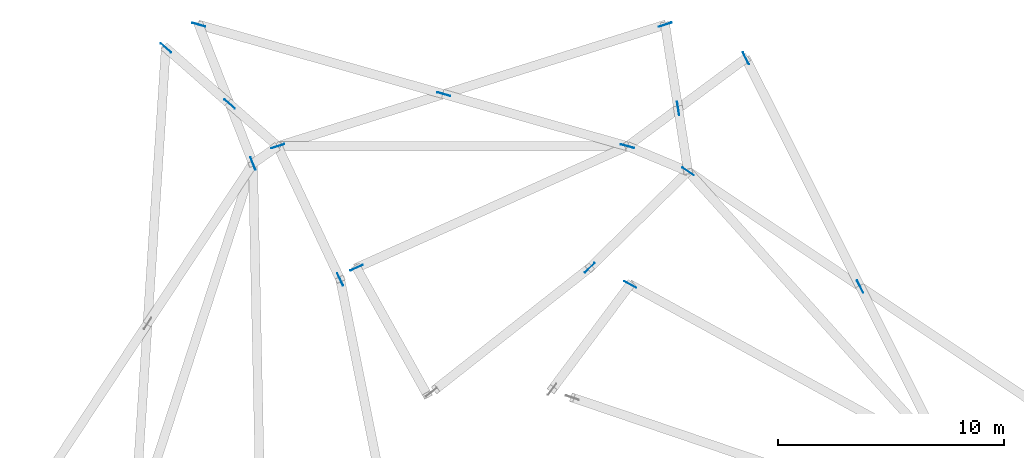
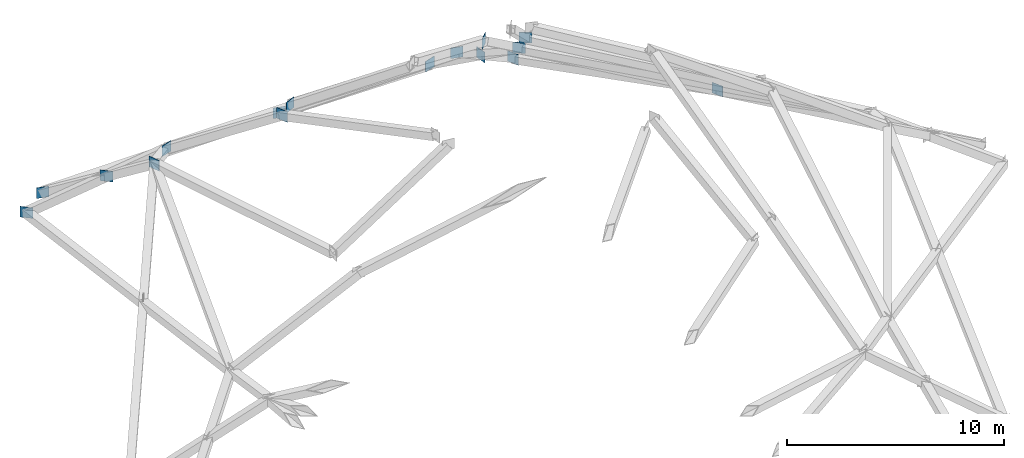
# One storey, part 6 of 6: 16 discrete accessories.
"""IFC4 building model written with IfcOpenShell, lengths in metres."""

from ifc_helpers import new_model, si_unit, direction, frame, origin, origin_2d, place, context, subcontext, project, spatial, rectangle, extrude, material, type_object, element, save


model = new_model("IFC4")

# Units and contexts
model_context = context("Model", 3, precision=1e-05, world=origin(), true_north=direction((0.0, 1.0)))
body_context = subcontext(model_context, "Body", "Model", "MODEL_VIEW")
ifc_project = project(units=[si_unit("LENGTHUNIT", "METRE"), si_unit("AREAUNIT", "SQUARE_METRE"), si_unit("VOLUMEUNIT", "CUBIC_METRE"), si_unit("PLANEANGLEUNIT", "RADIAN"), si_unit("MASSUNIT", "GRAM", prefix="KILO")], contexts=[model_context])

# Site, building, storey
site_placement = place(None, origin())
site = spatial("IfcSite", under=ifc_project, at=site_placement, CompositionType="ELEMENT")
building_placement = place(site_placement, origin())
building = spatial("IfcBuilding", under=site, at=building_placement, Name="Isthmus Gate Tower", CompositionType="ELEMENT")
storey_placement = place(building_placement, frame((0.0, 0.0, 320.10009765625)))
storey = spatial("IfcBuildingStorey", under=building, at=storey_placement, Name="C5", CompositionType="ELEMENT", Elevation=320.10009765625)

# Discrete accessories
ifc_material = material(Name="Structural steel ASTM A992 Gr 50", Category="steel")
discrete_accessory_type = type_object("IfcDiscreteAccessoryType", Name="GUSSET PLATE 600 X 20", PredefinedType="USERDEFINED", material=ifc_material)
for number, where, z_axis, x_axis, name in (
    (1, (6.659912109375, 21.5, -4.800048828125), (0.0, 0.0, 1.0), (-0.954167412785, -0.299273367306, 0.0), "GUSSET PLATE"),
    (2, (-10.47705078125, 16.125, -0.300048828125), (0.0, 0.0, 1.0), (-0.954167412785, -0.299273367306, 0.0), "GUSSET PLATE"),
    (3, (-13.96923828125, 21.5, -4.800048828125), (0.0, 0.0, 1.0), (0.962103166877, -0.272685709719, 0.0), "GUSSET PLATE"),
    (4, (-3.132568359375, 18.428466796875, -2.228759765625), (0.0, 0.0, 1.0), (0.962103166877, -0.272685709719, 0.0), "GUSSET PLATE"),
    (5, (4.9951171875, 16.125, -0.300048828125), (0.0, 0.0, 1.0), (0.962103166877, -0.272685709719, 0.0), "GUSSET PLATE"),
    (6, (-11.568603515625, 15.35693359375, -0.300048828125), (0.0, 0.0, 1.0), (0.363979261092, -0.931407052526, 0.0), "GUSSET PLATE"),
    (7, (-15.425048828125, 20.475830078125, -4.800048828125), (0.0, 0.0, 1.0), (0.750962979388, -0.66034430685, 0.0), "GUSSET PLATE"),
    (8, (-12.59765625, 17.98974609375, -2.228759765625), (0.0, 0.0, 1.0), (0.750962979388, -0.66034430685, 0.0), "GUSSET PLATE"),
    (9, (7.67578125, 15.01025390625, -0.300048828125), (0.0, 0.0, 1.0), (-0.831108071105, 0.556110936904, 0.0), "GUSSET PLATE"),
    (10, (10.234375, 20.013671875, -4.800048828125), (0.0, 0.0, 1.0), (0.447731034623, -0.894168284293, 0.0), "GUSSET PLATE"),
    (11, (15.291259765625, 9.91455078125, -2.228759765625), (0.0, 0.0, 1.0), (0.447731034623, -0.894168284293, 0.0), "GUSSET PLATE"),
    (12, (7.240478515625, 17.79150390625, -2.228759765625), (0.0, 0.0, 1.0), (0.154637212747, -0.987971321666, 0.0), "GUSSET PLATE"),
    (13, (-6.984619140625, 10.75, 4.199951171875), (0.0, 0.0, 1.0), (-0.912372754466, -0.409360424209, 0.0), "GUSSET PLATE"),
    (14, (-7.71240234375, 10.238037109375, 4.199951171875), (0.0, 0.0, 1.0), (0.425059954194, -0.905165197818, 0.0), "GUSSET PLATE"),
    (15, (5.1171875, 10.0068359375, 4.199951171875), (0.0, 0.0, 1.0), (-0.87661718388, 0.481188438064, 0.0), "GUSSET PLATE"),
    (16, (3.330078125, 10.75, 4.199951171875), (0.0, 0.0, 1.0), (-0.714096758498, -0.700047012351, 0.0), "GUSSET PLATE"),
):
    element("IfcDiscreteAccessory", number, at=place(storey_placement, frame(where, z_axis=z_axis, x_axis=x_axis)), inside=storey, type_object=discrete_accessory_type, Name=name, ObjectType="GUSSET PLATE", PredefinedType="USERDEFINED", context=body_context, shape_type="SweptSolid", body=[
        extrude(rectangle(XDim=0.60009765625, YDim=0.02001953125, at=origin_2d()), origin(), (0.0, 0.0, 1.0), 0.60009765625),
    ])

save(model, "model.ifc")
